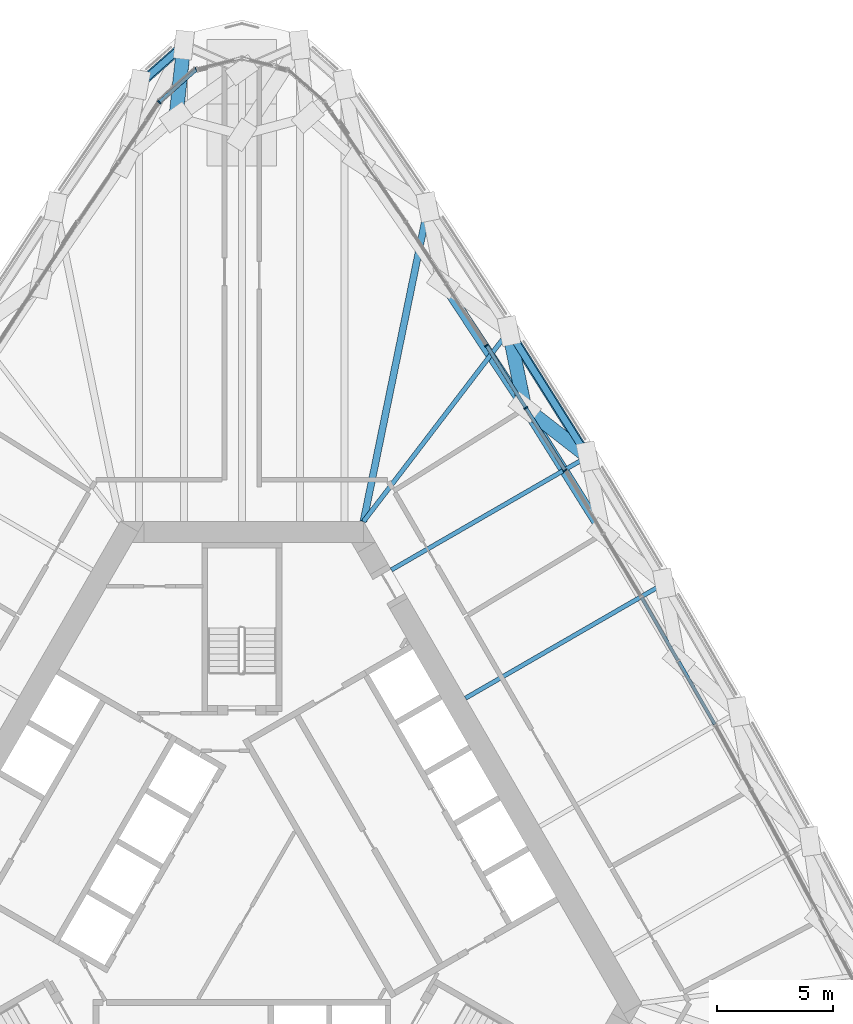
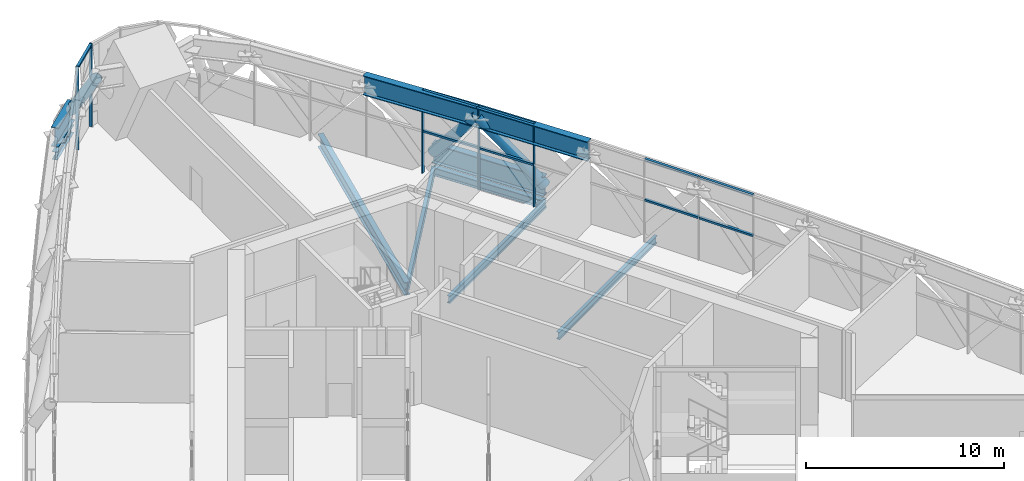
# One storey, part 8 of 43: 22 members, 6 beams, 2 elements without a shape of their own.
"""IFC4 building model written with IfcOpenShell, lengths in metres."""

from ifc_helpers import new_model, si_unit, direction, frame, origin, origin_2d, place, context, subcontext, project, spatial, rectangle, hollow_circle, i_section, extrude, material, material_profile, profile_set, type_object, element, aggregate, save


model = new_model("IFC4")

# Units and contexts
model_context = context("Model", 3, precision=1e-05, world=origin(), true_north=direction((0.0, 1.0)))
body_context = subcontext(model_context, "Body", "Model", "MODEL_VIEW")
ifc_project = project(units=[si_unit("LENGTHUNIT", "METRE"), si_unit("AREAUNIT", "SQUARE_METRE"), si_unit("VOLUMEUNIT", "CUBIC_METRE"), si_unit("PLANEANGLEUNIT", "RADIAN"), si_unit("MASSUNIT", "GRAM", prefix="KILO")], contexts=[model_context])

# Site, building, storey
site_placement = place(None, origin())
site = spatial("IfcSite", under=ifc_project, at=site_placement, CompositionType="ELEMENT")
building_placement = place(site_placement, origin())
building = spatial("IfcBuilding", under=site, at=building_placement, Name="Mestral Congress Tower", CompositionType="ELEMENT")
storey_placement = place(building_placement, frame((0.0, 0.0, 78.300048828125)))
storey = spatial("IfcBuildingStorey", under=building, at=storey_placement, Name="L18", CompositionType="ELEMENT", Elevation=78.300048828125)

# Members
ifc_material_1 = material(Name="Steel S355", Category="steel")
ifc_material_profile_1 = material_profile(ifc_material_1, i_section(OverallWidth=0.39990234375, OverallDepth=1.199951171875, WebThickness=0.02001953125, FlangeThickness=0.0400390625, FilletRadius=0.010009765625, at=origin_2d()), Name="WPG 1200")
ifc_profile_set_1 = profile_set([ifc_material_profile_1], Name="Steel S355")
member_type_1 = type_object("IfcMemberType", Name="Belt chord WPG 1200 S355", PredefinedType="CHORD", material=ifc_profile_set_1)
member_1_placement = place(storey_placement, frame((14.941650390625, 19.710205078125, 0.599853515625), z_axis=(-0.53166441358, 0.846955105855, 0.0), x_axis=(-0.846955105855, -0.53166441358, 0.0)))
element("IfcMember", 1, at=member_1_placement, inside=storey, type_object=member_type_1, Name="MB-L18-BC1-E06", PredefinedType="CHORD", context=body_context, shape_type="SweptSolid", body=[
    extrude(i_section(OverallWidth=0.39990234375, OverallDepth=1.199951171875, WebThickness=0.02001953125, FlangeThickness=0.0400390625, FilletRadius=0.010009765625, at=origin_2d()), origin(), (0.0, 0.0, 1.0), 6.39990234375),
])
member_2_placement = place(storey_placement, frame((-2.503173828125, 37.483642578125, 0.599853515625), z_axis=(-0.749865495527, -0.661590310251, 0.0), x_axis=(0.661590310251, -0.749865495527, 0.0)))
element("IfcMember", 2, at=member_2_placement, inside=storey, type_object=member_type_1, Name="MB-L18-BC1-N3", PredefinedType="CHORD", context=body_context, shape_type="SweptSolid", body=[
    extrude(i_section(OverallWidth=0.39990234375, OverallDepth=1.199951171875, WebThickness=0.02001953125, FlangeThickness=0.0400390625, FilletRadius=0.010009765625, at=origin_2d()), origin(), (0.0, 0.0, 1.0), 2.57763671875),
])
for number, where, z_axis, x_axis, name in (
    (3, (15.609375, 16.401611328125, 4.550048828125), (-0.530067519081, 0.847955438225, 0.0), (-0.847955438225, -0.530067519081, 0.0), "MB-L18-TC1-E05"),
    (4, (12.217041015625, 21.828369140625, 4.550048828125), (-0.549751718, 0.835328108324, 0.0), (-0.835328108324, -0.549751718, 0.0), "MB-L18-TC1-E06"),
):
    element("IfcMember", number, at=place(storey_placement, frame(where, z_axis=z_axis, x_axis=x_axis)), inside=storey, type_object=member_type_1, Name=name, PredefinedType="CHORD", context=body_context, shape_type="SweptSolid", body=[
        extrude(i_section(OverallWidth=0.39990234375, OverallDepth=1.199951171875, WebThickness=0.02001953125, FlangeThickness=0.0400390625, FilletRadius=0.010009765625, at=origin_2d()), origin(), (0.0, 0.0, 1.0), 6.39990234375),
    ])
ifc_material_profile_2 = material_profile(ifc_material_1, hollow_circle(Radius=0.304931640625, WallThickness=0.02490234375, at=origin_2d()), Name="CHS 610x25")
ifc_profile_set_2 = profile_set([ifc_material_profile_2], Name="Steel S355")
member_type_2 = type_object("IfcMemberType", Name="Belt diagonal CHS 610x25 S355", PredefinedType="BRACE", material=ifc_profile_set_2)
member_3_placement = place(storey_placement, frame((14.941650390625, 19.710205078125, 0.599853515625), z_axis=(-0.51942892628, 0.403814100753, 0.753078855484), x_axis=(-0.613764285446, -0.789489329827, 0.0)))
element("IfcMember", 5, at=member_3_placement, inside=storey, type_object=member_type_2, Name="MD-L18-BD1-E06.E06", PredefinedType="BRACE", context=body_context, shape_type="SweptSolid", body=[
    extrude(hollow_circle(Radius=0.304931640625, WallThickness=0.02490234375, at=origin_2d()), origin(), (0.0, 0.0, 1.0), 5.245361328125),
])
member_4_placement = place(storey_placement, frame((11.5390625, 25.130615234375, 0.599853515625), z_axis=(0.130553138741, -0.635888280377, 0.76065890703), x_axis=(0.979567960434, 0.201113427926, 0.0)))
element("IfcMember", 6, at=member_4_placement, inside=storey, type_object=member_type_2, Name="MD-L18-BD1-E07.E06", PredefinedType="BRACE", context=body_context, shape_type="SweptSolid", body=[
    extrude(hollow_circle(Radius=0.304931640625, WallThickness=0.02490234375, at=origin_2d()), origin(), (0.0, 0.0, 1.0), 5.193115234375),
])
member_5_placement = place(storey_placement, frame((-2.503173828125, 37.483642578125, 0.599853515625), z_axis=(-0.067833996321, -0.619208831706, 0.782290848521), x_axis=(0.994052932577, -0.108897967081, 0.0)))
element("IfcMember", 7, at=member_5_placement, inside=storey, type_object=member_type_2, Name="MD-L18-BD1-N3.N3", PredefinedType="BRACE", context=body_context, shape_type="SweptSolid", body=[
    extrude(hollow_circle(Radius=0.304931640625, WallThickness=0.02490234375, at=origin_2d()), origin(), (0.0, 0.0, 1.0), 5.049560546875),
])

# Curtain wall, members
ifc_material_2 = material(Name="Clear low-emissivity double glazing", Category="glass")
curtain_wall_type = type_object("IfcCurtainWallType", Name="Facade refuge band screen", PredefinedType="USERDEFINED", material=ifc_material_2)
placement = place(storey_placement, origin())
curtain_wall_1 = element("IfcCurtainWall", 8, at=placement, inside=storey, type_object=curtain_wall_type, Name="Facade refuge band screen face 2", ObjectType="CURTAIN WALL", PredefinedType="USERDEFINED")
ifc_material_3 = material(Name="Anodised aluminium", Category="aluminium")
ifc_material_profile_3 = material_profile(ifc_material_3, rectangle(XDim=0.179931640625, YDim=0.06005859375, at=origin_2d()), Name="CW3 mullion 180 x 60")
ifc_profile_set_3 = profile_set([ifc_material_profile_3], Name="Anodised aluminium")
member_type_3 = type_object("IfcMemberType", Name="Facade refuge band screen mullion", PredefinedType="MULLION", material=ifc_profile_set_3)
member_6_placement = place(storey_placement, frame((13.9619140625, 19.10791015625, 0.0), z_axis=(0.0, 0.0, 1.0), x_axis=(0.851829344998, 0.52381940304, 0.0)))
member_6 = element("IfcMember", 9, at=member_6_placement, type_object=member_type_3, Name="Facade refuge band screen mullion", PredefinedType="MULLION", context=body_context, shape_type="SweptSolid", body=[
    extrude(rectangle(XDim=0.179931640625, YDim=0.06005859375, at=origin_2d()), origin(), (0.0, 0.0, 1.0), 5.14990234375),
])
member_7_placement = place(storey_placement, frame((12.266357421875, 21.80908203125, 0.0), z_axis=(0.0, 0.0, 1.0), x_axis=(0.846951224053, 0.531670597339, 0.0)))
member_7 = element("IfcMember", 10, at=member_7_placement, type_object=member_type_3, Name="Facade refuge band screen mullion", PredefinedType="MULLION", context=body_context, shape_type="SweptSolid", body=[
    extrude(rectangle(XDim=0.179931640625, YDim=0.06005859375, at=origin_2d()), origin(), (0.0, 0.0, 1.0), 5.14990234375),
])
member_8_placement = place(storey_placement, frame((10.570556640625, 24.51025390625, 0.0), z_axis=(0.0, 0.0, 1.0), x_axis=(0.84200074187, 0.539476367129, 0.0)))
member_8 = element("IfcMember", 11, at=member_8_placement, type_object=member_type_3, Name="Facade refuge band screen mullion", PredefinedType="MULLION", context=body_context, shape_type="SweptSolid", body=[
    extrude(rectangle(XDim=0.179931640625, YDim=0.06005859375, at=origin_2d()), origin(), (0.0, 0.0, 1.0), 5.14990234375),
])

curtain_wall_2 = element("IfcCurtainWall", 12, at=placement, inside=storey, type_object=curtain_wall_type, Name="Facade refuge band screen corner 2", ObjectType="CURTAIN WALL", PredefinedType="USERDEFINED")
member_9_placement = place(storey_placement, frame((-1.9541015625, 36.434326171875, 0.0), z_axis=(0.0, 0.0, 1.0), x_axis=(-0.463555863661, 0.886067695645, 0.0)))
member_9 = element("IfcMember", 13, at=member_9_placement, type_object=member_type_3, Name="Facade refuge band screen mullion", PredefinedType="MULLION", context=body_context, shape_type="SweptSolid", body=[
    extrude(rectangle(XDim=0.179931640625, YDim=0.06005859375, at=origin_2d()), origin(), (0.0, 0.0, 1.0), 5.14990234375),
])
member_10_placement = place(storey_placement, frame((-3.566650390625, 35.01171875, 0.0), z_axis=(0.0, 0.0, 1.0), x_axis=(-0.661641717429, 0.749820136938, 0.0)))
member_10 = element("IfcMember", 14, at=member_10_placement, type_object=member_type_3, Name="Facade refuge band screen mullion", PredefinedType="MULLION", context=body_context, shape_type="SweptSolid", body=[
    extrude(rectangle(XDim=0.179931640625, YDim=0.06005859375, at=origin_2d()), origin(), (0.0, 0.0, 1.0), 5.14990234375),
])

# Member
ifc_material_profile_4 = material_profile(ifc_material_3, rectangle(XDim=0.14990234375, YDim=0.1201171875, at=origin_2d()), Name="CW3 transom 150 x 120")
ifc_profile_set_4 = profile_set([ifc_material_profile_4], Name="Anodised aluminium")
member_type_4 = type_object("IfcMemberType", Name="Facade refuge band screen transom", PredefinedType="USERDEFINED", material=ifc_profile_set_4)
member_11_placement = place(storey_placement, frame((20.42724609375, 8.1455078125, 2.599853515625), z_axis=(-0.499990325971, 0.866030989016, 0.0), x_axis=(-0.866030989016, -0.499990325971, 0.0)))
member_11 = element("IfcMember", 15, at=member_11_placement, type_object=member_type_4, Name="Facade refuge band screen transom", ObjectType="TRANSOM", PredefinedType="USERDEFINED", context=body_context, shape_type="SweptSolid", body=[
    extrude(rectangle(XDim=0.14990234375, YDim=0.1201171875, at=origin_2d()), origin(), (0.0, 0.0, 1.0), 3.12939453125),
])

member_12_placement = place(storey_placement, frame((20.42724609375, 8.1455078125, 5.08984375), z_axis=(-0.499990325971, 0.866030989016, 0.0), x_axis=(-0.866030989016, -0.499990325971, 0.0)))
member_12 = element("IfcMember", 16, at=member_12_placement, type_object=member_type_4, Name="Facade refuge band screen transom", ObjectType="TRANSOM", PredefinedType="USERDEFINED", context=body_context, shape_type="SweptSolid", body=[
    extrude(rectangle(XDim=0.14990234375, YDim=0.1201171875, at=origin_2d()), origin(), (0.0, 0.0, 1.0), 3.12939453125),
])

member_13_placement = place(storey_placement, frame((18.83251953125, 10.90771484375, 2.599853515625), z_axis=(-0.500024108395, 0.866011484348, 0.0), x_axis=(-0.866011484348, -0.500024108395, 0.0)))
member_13 = element("IfcMember", 17, at=member_13_placement, type_object=member_type_4, Name="Facade refuge band screen transom", ObjectType="TRANSOM", PredefinedType="USERDEFINED", context=body_context, shape_type="SweptSolid", body=[
    extrude(rectangle(XDim=0.14990234375, YDim=0.1201171875, at=origin_2d()), origin(), (0.0, 0.0, 1.0), 3.129150390625),
])

member_14_placement = place(storey_placement, frame((18.83251953125, 10.90771484375, 5.08984375), z_axis=(-0.500024108395, 0.866011484348, 0.0), x_axis=(-0.866011484348, -0.500024108395, 0.0)))
member_14 = element("IfcMember", 18, at=member_14_placement, type_object=member_type_4, Name="Facade refuge band screen transom", ObjectType="TRANSOM", PredefinedType="USERDEFINED", context=body_context, shape_type="SweptSolid", body=[
    extrude(rectangle(XDim=0.14990234375, YDim=0.1201171875, at=origin_2d()), origin(), (0.0, 0.0, 1.0), 3.129150390625),
])

member_15_placement = place(storey_placement, frame((13.946044921875, 19.13330078125, 2.599853515625), z_axis=(-0.531680943953, 0.846944728915, 0.0), x_axis=(-0.846944728915, -0.531680943953, 0.0)))
member_15 = element("IfcMember", 19, at=member_15_placement, type_object=member_type_4, Name="Facade refuge band screen transom", ObjectType="TRANSOM", PredefinedType="USERDEFINED", context=body_context, shape_type="SweptSolid", body=[
    extrude(rectangle(XDim=0.14990234375, YDim=0.1201171875, at=origin_2d()), origin(), (0.0, 0.0, 1.0), 3.12939453125),
])

member_16_placement = place(storey_placement, frame((13.946044921875, 19.13330078125, 5.08984375), z_axis=(-0.531680943953, 0.846944728915, 0.0), x_axis=(-0.846944728915, -0.531680943953, 0.0)))
member_16 = element("IfcMember", 20, at=member_16_placement, type_object=member_type_4, Name="Facade refuge band screen transom", ObjectType="TRANSOM", PredefinedType="USERDEFINED", context=body_context, shape_type="SweptSolid", body=[
    extrude(rectangle(XDim=0.14990234375, YDim=0.1201171875, at=origin_2d()), origin(), (0.0, 0.0, 1.0), 3.12939453125),
])

member_17_placement = place(storey_placement, frame((12.250244140625, 21.83447265625, 2.599853515625), z_axis=(-0.531624978195, 0.846979859595, 0.0), x_axis=(-0.846979859595, -0.531624978195, 0.0)))
member_17 = element("IfcMember", 21, at=member_17_placement, type_object=member_type_4, Name="Facade refuge band screen transom", ObjectType="TRANSOM", PredefinedType="USERDEFINED", context=body_context, shape_type="SweptSolid", body=[
    extrude(rectangle(XDim=0.14990234375, YDim=0.1201171875, at=origin_2d()), origin(), (0.0, 0.0, 1.0), 3.129150390625),
])

member_18_placement = place(storey_placement, frame((12.250244140625, 21.83447265625, 5.08984375), z_axis=(-0.531624978195, 0.846979859595, 0.0), x_axis=(-0.846979859595, -0.531624978195, 0.0)))
member_18 = element("IfcMember", 22, at=member_18_placement, type_object=member_type_4, Name="Facade refuge band screen transom", ObjectType="TRANSOM", PredefinedType="USERDEFINED", context=body_context, shape_type="SweptSolid", body=[
    extrude(rectangle(XDim=0.14990234375, YDim=0.1201171875, at=origin_2d()), origin(), (0.0, 0.0, 1.0), 3.129150390625),
])

aggregate(curtain_wall_1, [member_6, member_7, member_8, member_11, member_12, member_13, member_14, member_15, member_16, member_17, member_18])

member_19_placement = place(storey_placement, frame((-1.976806640625, 36.41455078125, 2.599853515625), z_axis=(-0.749820813115, -0.661640951136, 0.0), x_axis=(0.661640951136, -0.749820813115, 0.0)))
member_19 = element("IfcMember", 23, at=member_19_placement, type_object=member_type_4, Name="Facade refuge band screen transom", ObjectType="TRANSOM", PredefinedType="USERDEFINED", context=body_context, shape_type="SweptSolid", body=[
    extrude(rectangle(XDim=0.14990234375, YDim=0.1201171875, at=origin_2d()), origin(), (0.0, 0.0, 1.0), 2.09033203125),
])

member_20_placement = place(storey_placement, frame((-1.976806640625, 36.41455078125, 5.08984375), z_axis=(-0.749820813115, -0.661640951136, 0.0), x_axis=(0.661640951136, -0.749820813115, 0.0)))
member_20 = element("IfcMember", 24, at=member_20_placement, type_object=member_type_4, Name="Facade refuge band screen transom", ObjectType="TRANSOM", PredefinedType="USERDEFINED", context=body_context, shape_type="SweptSolid", body=[
    extrude(rectangle(XDim=0.14990234375, YDim=0.1201171875, at=origin_2d()), origin(), (0.0, 0.0, 1.0), 2.09033203125),
])

aggregate(curtain_wall_2, [member_9, member_10, member_19, member_20])

# Beams
ifc_material_profile_5 = material_profile(ifc_material_1, i_section(OverallWidth=0.300048828125, OverallDepth=0.800048828125, WebThickness=0.017578125, FlangeThickness=0.032958984375, FilletRadius=0.030029296875, at=origin_2d()), Name="HEB 800")
ifc_profile_set_5 = profile_set([ifc_material_profile_5], Name="Steel S355")
beam_type_1 = type_object("IfcBeamType", Name="Floor beam HEB 800 S355", PredefinedType="BEAM", material=ifc_profile_set_5)
beam_1_placement = place(storey_placement, frame((8.03662109375, 30.4873046875, -0.699951171875), z_axis=(-0.200636612505, -0.979665733668, 0.0), x_axis=(0.979665733668, -0.200636612505, 0.0)))
element("IfcBeam", 25, at=beam_1_placement, inside=storey, type_object=beam_type_1, Name="BM-L18-RB1-E08", PredefinedType="BEAM", context=body_context, shape_type="SweptSolid", body=[
    extrude(i_section(OverallWidth=0.300048828125, OverallDepth=0.800048828125, WebThickness=0.017578125, FlangeThickness=0.032958984375, FilletRadius=0.030029296875, at=origin_2d()), origin(), (0.0, 0.0, 1.0), 13.869384765625),
])
ifc_material_profile_6 = material_profile(ifc_material_1, i_section(OverallWidth=0.18994140625, OverallDepth=0.449951171875, WebThickness=0.009521484375, FlangeThickness=0.0146484375, FilletRadius=0.02099609375, at=origin_2d()), Name="IPE 450")
ifc_profile_set_6 = profile_set([ifc_material_profile_6], Name="Steel S355")
beam_type_2 = type_object("IfcBeamType", Name="Floor beam IPE 450 S355", PredefinedType="BEAM", material=ifc_profile_set_6)
beam_2_placement = place(storey_placement, frame((18.243408203125, 14.227783203125, -0.525146484375), z_axis=(-0.866024815816, -0.500001018391, 0.0), x_axis=(0.500001018391, -0.866024815816, 0.0)))
element("IfcBeam", 26, at=beam_2_placement, inside=storey, type_object=beam_type_2, Name="BM-L18-RB1-E05", PredefinedType="BEAM", context=body_context, shape_type="SweptSolid", body=[
    extrude(i_section(OverallWidth=0.18994140625, OverallDepth=0.449951171875, WebThickness=0.009521484375, FlangeThickness=0.0146484375, FilletRadius=0.02099609375, at=origin_2d()), origin(), (0.0, 0.0, 1.0), 9.9130859375),
])
beam_3_placement = place(storey_placement, frame((14.941650390625, 19.710205078125, -0.525146484375), z_axis=(-0.866025782648, -0.499999343788, 0.0), x_axis=(0.499999343788, -0.866025782648, 0.0)))
element("IfcBeam", 27, at=beam_3_placement, inside=storey, type_object=beam_type_2, Name="BM-L18-RB1-E06", PredefinedType="BEAM", context=body_context, shape_type="SweptSolid", body=[
    extrude(i_section(OverallWidth=0.18994140625, OverallDepth=0.449951171875, WebThickness=0.009521484375, FlangeThickness=0.0146484375, FilletRadius=0.02099609375, at=origin_2d()), origin(), (0.0, 0.0, 1.0), 9.794921875),
])
ifc_material_profile_7 = material_profile(ifc_material_1, i_section(OverallWidth=0.199951171875, OverallDepth=0.5, WebThickness=0.01025390625, FlangeThickness=0.01611328125, FilletRadius=0.02099609375, at=origin_2d()), Name="IPE 500")
ifc_profile_set_7 = profile_set([ifc_material_profile_7], Name="Steel S355")
beam_type_3 = type_object("IfcBeamType", Name="Floor beam IPE 500 S355", PredefinedType="BEAM", material=ifc_profile_set_7)
beam_4_placement = place(storey_placement, frame((11.5390625, 25.130615234375, -0.550048828125), z_axis=(-0.606906563916, -0.794773189454, 0.0), x_axis=(0.794773189454, -0.606906563916, 0.0)))
element("IfcBeam", 28, at=beam_4_placement, inside=storey, type_object=beam_type_3, Name="BM-L18-RB1-E07", PredefinedType="BEAM", context=body_context, shape_type="SweptSolid", body=[
    extrude(i_section(OverallWidth=0.199951171875, OverallDepth=0.5, WebThickness=0.01025390625, FlangeThickness=0.01611328125, FilletRadius=0.02099609375, at=origin_2d()), origin(), (0.0, 0.0, 1.0), 10.35595703125),
])
ifc_material_profile_8 = material_profile(ifc_material_1, i_section(OverallWidth=0.300048828125, OverallDepth=0.489990234375, WebThickness=0.011962890625, FlangeThickness=0.02294921875, FilletRadius=0.027099609375, at=origin_2d()), Name="HEA 500")
ifc_profile_set_8 = profile_set([ifc_material_profile_8], Name="Steel S355")
beam_type_4 = type_object("IfcBeamType", Name="Spandrel beam HEA 500 S355", PredefinedType="BEAM", material=ifc_profile_set_8)
beam_5_placement = place(storey_placement, frame((14.941650390625, 19.710205078125, -0.545166015625), z_axis=(-0.53166441358, 0.846955105855, 0.0), x_axis=(-0.846955105855, -0.53166441358, 0.0)))
element("IfcBeam", 29, at=beam_5_placement, inside=storey, type_object=beam_type_4, Name="SP-L18-SB1-E06", PredefinedType="BEAM", context=body_context, shape_type="SweptSolid", body=[
    extrude(i_section(OverallWidth=0.300048828125, OverallDepth=0.489990234375, WebThickness=0.011962890625, FlangeThickness=0.02294921875, FilletRadius=0.027099609375, at=origin_2d()), origin(), (0.0, 0.0, 1.0), 6.39990234375),
])
beam_6_placement = place(storey_placement, frame((-2.503173828125, 37.483642578125, -0.545166015625), z_axis=(-0.749865495527, -0.661590310251, 0.0), x_axis=(0.661590310251, -0.749865495527, 0.0)))
element("IfcBeam", 30, at=beam_6_placement, inside=storey, type_object=beam_type_4, Name="SP-L18-SB1-N3", PredefinedType="BEAM", context=body_context, shape_type="SweptSolid", body=[
    extrude(i_section(OverallWidth=0.300048828125, OverallDepth=0.489990234375, WebThickness=0.011962890625, FlangeThickness=0.02294921875, FilletRadius=0.027099609375, at=origin_2d()), origin(), (0.0, 0.0, 1.0), 2.57763671875),
])

save(model, "model.ifc")
